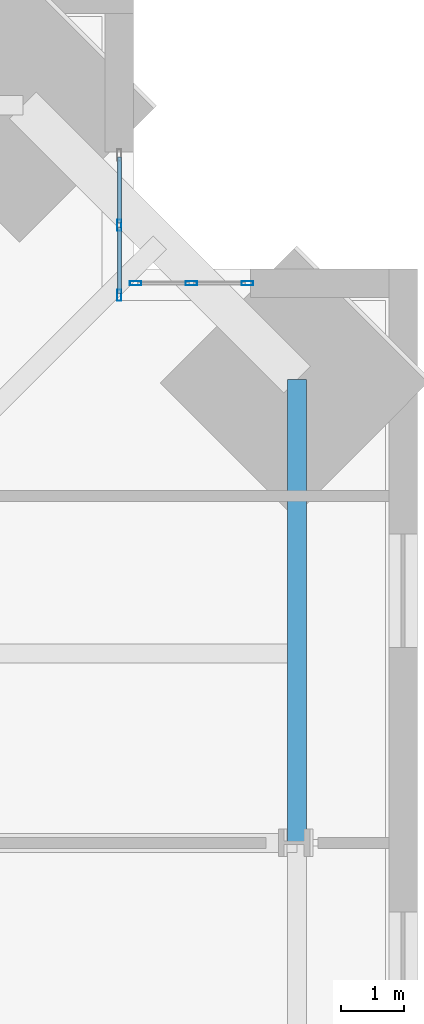
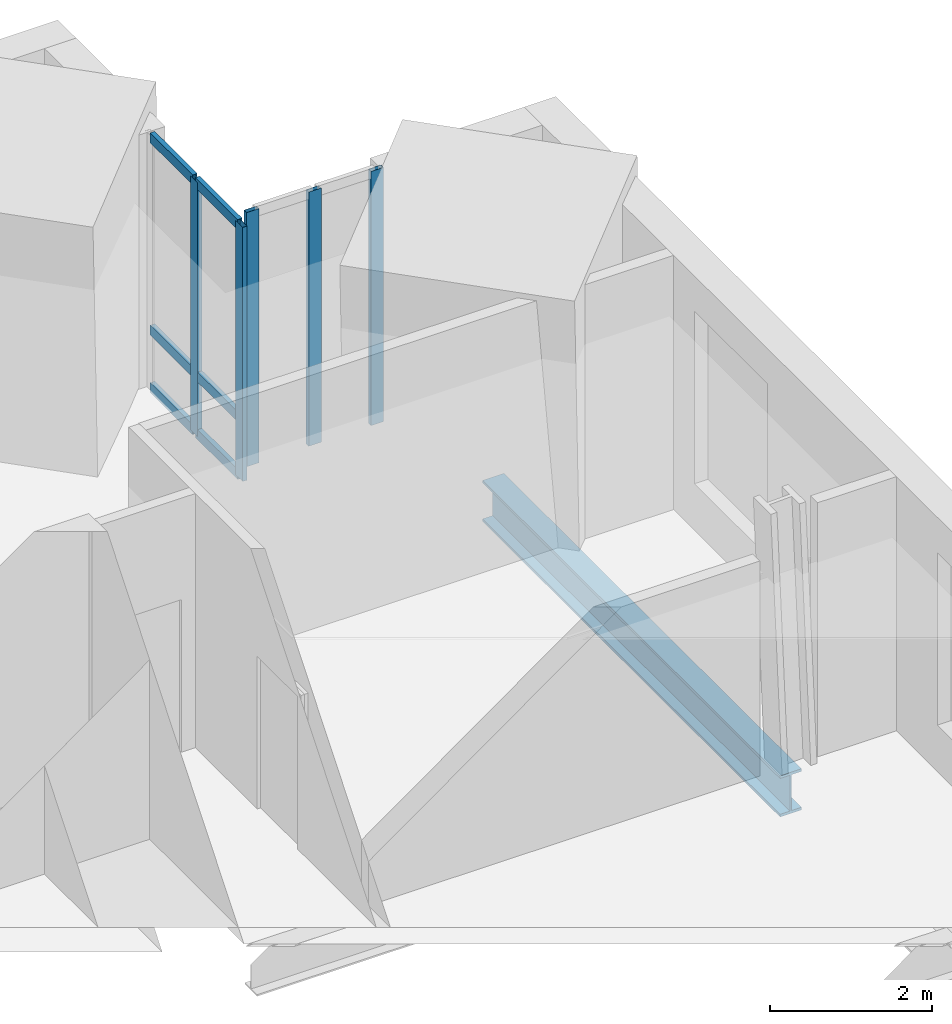
# One storey, part 8 of 16: 11 members, 1 beam, 2 elements without a shape of their own.
"""IFC4 building model written with IfcOpenShell, lengths in metres."""

from ifc_helpers import new_model, si_unit, direction, frame, origin, origin_2d, place, context, subcontext, project, spatial, hollow_rectangle, i_section, extrude, material, material_profile, profile_set, type_object, element, aggregate, save


model = new_model("IFC4")

# Units and contexts
model_context = context("Model", 3, precision=1e-05, world=origin(), true_north=direction((0.0, 1.0)))
body_context = subcontext(model_context, "Body", "Model", "MODEL_VIEW")
ifc_project = project(units=[si_unit("LENGTHUNIT", "METRE"), si_unit("AREAUNIT", "SQUARE_METRE"), si_unit("VOLUMEUNIT", "CUBIC_METRE"), si_unit("PLANEANGLEUNIT", "RADIAN"), si_unit("MASSUNIT", "GRAM", prefix="KILO")], contexts=[model_context])

# Site, building, storey
site_placement = place(None, origin())
site = spatial("IfcSite", under=ifc_project, at=site_placement, CompositionType="ELEMENT")
building_placement = place(site_placement, origin())
building = spatial("IfcBuilding", under=site, at=building_placement, Name="Peilmerk Tower", CompositionType="ELEMENT")
storey_placement = place(building_placement, frame((0.0, 0.0, 277.800048828125)))
storey = spatial("IfcBuildingStorey", under=building, at=storey_placement, Name="L62", CompositionType="ELEMENT", Elevation=277.800048828125)

# Beam
ifc_material_1 = material(Name="Steel S355", Category="steel")
ifc_material_profile_1 = material_profile(ifc_material_1, i_section(OverallWidth=0.304931640625, OverallDepth=0.6201171875, WebThickness=0.02099609375, FlangeThickness=0.0400390625, at=origin_2d()), Name="HEM 600")
ifc_profile_set_1 = profile_set([ifc_material_profile_1], Name="Steel S355")
beam_type = type_object("IfcBeamType", Name="B31 HEM 600 edge beam", PredefinedType="SPANDREL", material=ifc_profile_set_1)
beam_placement = place(storey_placement, frame((19.695068359375, 8.0, -0.47998046875), z_axis=(0.0, 1.0, 0.0), x_axis=(-1.0, 0.0, 0.0)))
element("IfcBeam", 1, at=beam_placement, inside=storey, type_object=beam_type, Name="Edge beam L62", PredefinedType="SPANDREL", context=body_context, shape_type="SweptSolid", body=[
    extrude(i_section(OverallWidth=0.304931640625, OverallDepth=0.6201171875, WebThickness=0.02099609375, FlangeThickness=0.0400390625, at=origin_2d()), origin(), (0.0, 0.0, 1.0), 7.34521484375),
])

# Curtain wall, members
ifc_material_2 = material(Name="Aluminium stick curtain wall", Category="aluminium")
curtain_wall_type = type_object("IfcCurtainWallType", Name="CW4 stick curtain wall, 2250 module", PredefinedType="NOTDEFINED", material=ifc_material_2)
curtain_wall_1_placement = place(storey_placement, origin())
curtain_wall_1 = element("IfcCurtainWall", 2, at=curtain_wall_1_placement, inside=storey, type_object=curtain_wall_type, Name="Curtain wall CW4 NEA L62", PredefinedType="NOTDEFINED")
ifc_material_3 = material(Name="Aluminium EN AW-6063 T6", Category="aluminium")
ifc_material_profile_2 = material_profile(ifc_material_3, hollow_rectangle(XDim=0.06494140625, YDim=0.179931640625, WallThickness=0.0029296875, at=origin_2d()), Name="AL 180x65x3")
ifc_profile_set_2 = profile_set([ifc_material_profile_2], Name="Aluminium EN AW-6063 T6")
member_type_1 = type_object("IfcMemberType", Name="CW4-M AL 180x65x3 mullion", PredefinedType="MULLION", material=ifc_profile_set_2)
member_1_placement = place(storey_placement, frame((16.875, 16.6826171875, 0.0), z_axis=(0.0, 0.0, 1.0), x_axis=(-1.0, 0.0, 0.0)))
member_1 = element("IfcMember", 3, at=member_1_placement, type_object=member_type_1, Name="CW4 mullion 1", PredefinedType="MULLION", context=body_context, shape_type="SweptSolid", body=[
    extrude(hollow_rectangle(XDim=0.06494140625, YDim=0.179931640625, WallThickness=0.0029296875, at=origin_2d()), origin(), (0.0, 0.0, 1.0), 3.829833984375),
])
member_2_placement = place(storey_placement, frame((16.875, 17.79443359375, 0.0), z_axis=(0.0, 0.0, 1.0), x_axis=(-1.0, 0.0, 0.0)))
member_2 = element("IfcMember", 4, at=member_2_placement, type_object=member_type_1, Name="CW4 mullion 2", PredefinedType="MULLION", context=body_context, shape_type="SweptSolid", body=[
    extrude(hollow_rectangle(XDim=0.06494140625, YDim=0.179931640625, WallThickness=0.0029296875, at=origin_2d()), origin(), (0.0, 0.0, 1.0), 3.829833984375),
])

curtain_wall_2_placement = place(storey_placement, origin())
curtain_wall_2 = element("IfcCurtainWall", 5, at=curtain_wall_2_placement, inside=storey, type_object=curtain_wall_type, Name="Curtain wall CW4 NEB L62", PredefinedType="NOTDEFINED")
member_3_placement = place(storey_placement, frame((17.132568359375, 16.875, 0.0), z_axis=(0.0, 0.0, 1.0), x_axis=(0.0, 1.0, 0.0)))
member_3 = element("IfcMember", 6, at=member_3_placement, type_object=member_type_1, Name="CW4 mullion 1", PredefinedType="MULLION", context=body_context, shape_type="SweptSolid", body=[
    extrude(hollow_rectangle(XDim=0.06494140625, YDim=0.179931640625, WallThickness=0.0029296875, at=origin_2d()), origin(), (0.0, 0.0, 1.0), 3.829833984375),
])
member_4_placement = place(storey_placement, frame((18.019287109375, 16.875, 0.0), z_axis=(0.0, 0.0, 1.0), x_axis=(0.0, 1.0, 0.0)))
member_4 = element("IfcMember", 7, at=member_4_placement, type_object=member_type_1, Name="CW4 mullion 2", PredefinedType="MULLION", context=body_context, shape_type="SweptSolid", body=[
    extrude(hollow_rectangle(XDim=0.06494140625, YDim=0.179931640625, WallThickness=0.0029296875, at=origin_2d()), origin(), (0.0, 0.0, 1.0), 3.829833984375),
])
member_5_placement = place(storey_placement, frame((18.90625, 16.875, 0.0), z_axis=(0.0, 0.0, 1.0), x_axis=(0.0, 1.0, 0.0)))
member_5 = element("IfcMember", 8, at=member_5_placement, type_object=member_type_1, Name="CW4 mullion 3", PredefinedType="MULLION", context=body_context, shape_type="SweptSolid", body=[
    extrude(hollow_rectangle(XDim=0.06494140625, YDim=0.179931640625, WallThickness=0.0029296875, at=origin_2d()), origin(), (0.0, 0.0, 1.0), 3.829833984375),
])
aggregate(curtain_wall_2, [member_3, member_4, member_5])

# Member
ifc_material_profile_3 = material_profile(ifc_material_3, hollow_rectangle(XDim=0.06494140625, YDim=0.14990234375, WallThickness=0.0029296875, at=origin_2d()), Name="AL 150x65x3")
ifc_profile_set_3 = profile_set([ifc_material_profile_3], Name="Aluminium EN AW-6063 T6")
member_type_2 = type_object("IfcMemberType", Name="CW4-T AL 150x65x3 transom", PredefinedType="USERDEFINED", material=ifc_profile_set_3)
member_6_placement = place(storey_placement, frame((16.875, 16.715087890625, 0.032470703125), z_axis=(0.0, 1.0, 0.0), x_axis=(-1.0, 0.0, 0.0)))
member_6 = element("IfcMember", 9, at=member_6_placement, type_object=member_type_2, Name="CW4 transom 1.1", ObjectType="TRANSOM", PredefinedType="USERDEFINED", context=body_context, shape_type="SweptSolid", body=[
    extrude(hollow_rectangle(XDim=0.06494140625, YDim=0.14990234375, WallThickness=0.0029296875, at=origin_2d()), origin(), (0.0, 0.0, 1.0), 1.046630859375),
])

member_7_placement = place(storey_placement, frame((16.875, 16.715087890625, 0.89990234375), z_axis=(0.0, 1.0, 0.0), x_axis=(-1.0, 0.0, 0.0)))
member_7 = element("IfcMember", 10, at=member_7_placement, type_object=member_type_2, Name="CW4 transom 1.2", ObjectType="TRANSOM", PredefinedType="USERDEFINED", context=body_context, shape_type="SweptSolid", body=[
    extrude(hollow_rectangle(XDim=0.06494140625, YDim=0.14990234375, WallThickness=0.0029296875, at=origin_2d()), origin(), (0.0, 0.0, 1.0), 1.046630859375),
])

member_8_placement = place(storey_placement, frame((16.875, 16.715087890625, 3.79736328125), z_axis=(0.0, 1.0, 0.0), x_axis=(-1.0, 0.0, 0.0)))
member_8 = element("IfcMember", 11, at=member_8_placement, type_object=member_type_2, Name="CW4 transom 1.3", ObjectType="TRANSOM", PredefinedType="USERDEFINED", context=body_context, shape_type="SweptSolid", body=[
    extrude(hollow_rectangle(XDim=0.06494140625, YDim=0.14990234375, WallThickness=0.0029296875, at=origin_2d()), origin(), (0.0, 0.0, 1.0), 1.046630859375),
])

member_9_placement = place(storey_placement, frame((16.875, 17.826904296875, 0.032470703125), z_axis=(0.0, 1.0, 0.0), x_axis=(-1.0, 0.0, 0.0)))
member_9 = element("IfcMember", 12, at=member_9_placement, type_object=member_type_2, Name="CW4 transom 2.1", ObjectType="TRANSOM", PredefinedType="USERDEFINED", context=body_context, shape_type="SweptSolid", body=[
    extrude(hollow_rectangle(XDim=0.06494140625, YDim=0.14990234375, WallThickness=0.0029296875, at=origin_2d()), origin(), (0.0, 0.0, 1.0), 1.046875),
])

member_10_placement = place(storey_placement, frame((16.875, 17.826904296875, 0.89990234375), z_axis=(0.0, 1.0, 0.0), x_axis=(-1.0, 0.0, 0.0)))
member_10 = element("IfcMember", 13, at=member_10_placement, type_object=member_type_2, Name="CW4 transom 2.2", ObjectType="TRANSOM", PredefinedType="USERDEFINED", context=body_context, shape_type="SweptSolid", body=[
    extrude(hollow_rectangle(XDim=0.06494140625, YDim=0.14990234375, WallThickness=0.0029296875, at=origin_2d()), origin(), (0.0, 0.0, 1.0), 1.046875),
])

member_11_placement = place(storey_placement, frame((16.875, 17.826904296875, 3.79736328125), z_axis=(0.0, 1.0, 0.0), x_axis=(-1.0, 0.0, 0.0)))
member_11 = element("IfcMember", 14, at=member_11_placement, type_object=member_type_2, Name="CW4 transom 2.3", ObjectType="TRANSOM", PredefinedType="USERDEFINED", context=body_context, shape_type="SweptSolid", body=[
    extrude(hollow_rectangle(XDim=0.06494140625, YDim=0.14990234375, WallThickness=0.0029296875, at=origin_2d()), origin(), (0.0, 0.0, 1.0), 1.046875),
])

aggregate(curtain_wall_1, [member_1, member_2, member_6, member_7, member_8, member_9, member_10, member_11])

save(model, "model.ifc")
